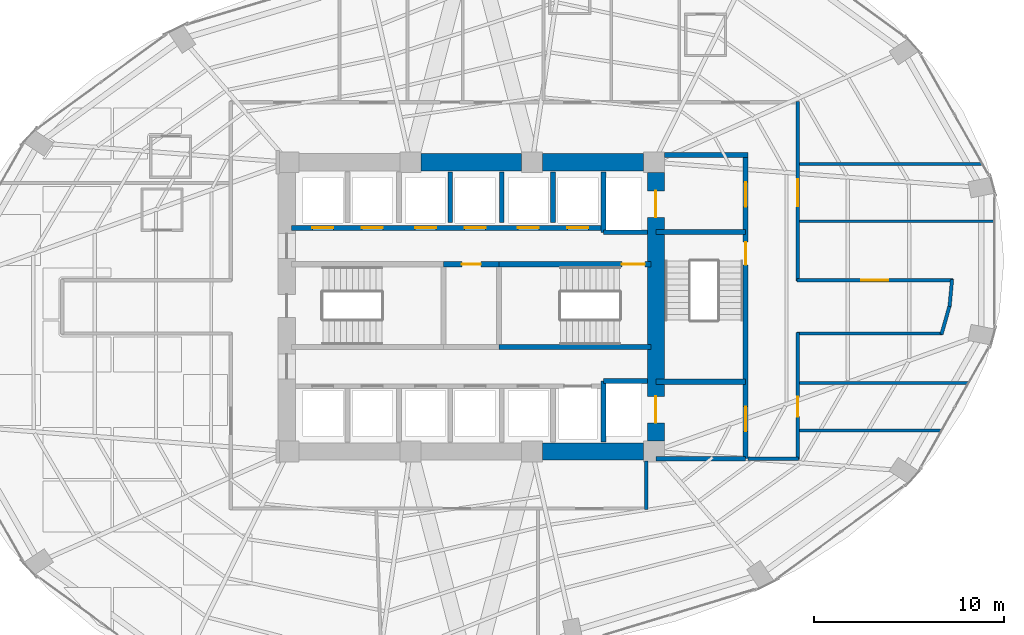
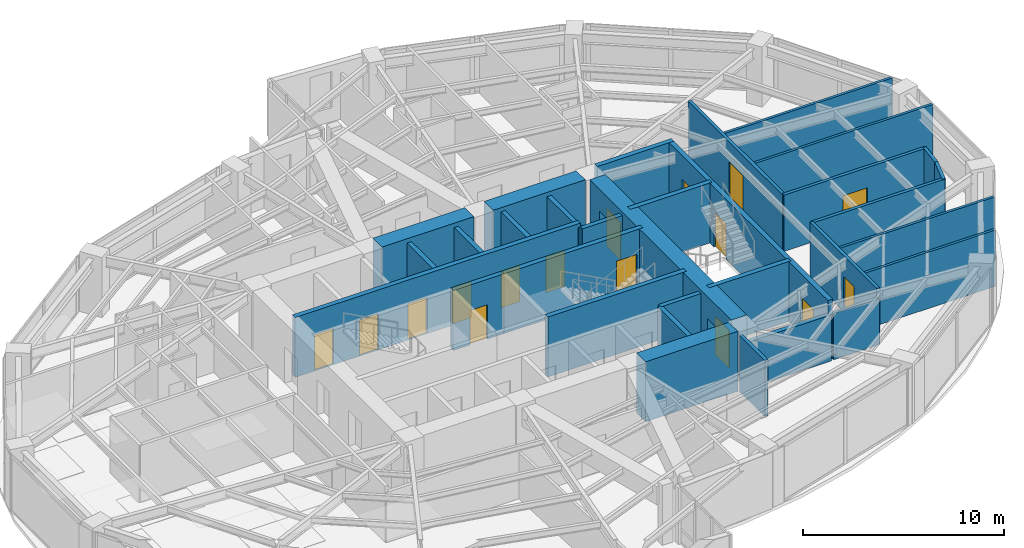
# One storey, part 22 of 25: 32 walls, 16 doors, 16 openings.
"""IFC4 building model written with IfcOpenShell, lengths in metres."""

from ifc_helpers import new_model, si_unit, direction, frame, frame_2d, origin, place, context, subcontext, project, spatial, rectangle, extrude, material, layer, layer_set, type_object, element, fill, save


model = new_model("IFC4")

# Units and contexts
model_context = context("Model", 3, precision=1e-05, world=origin(), true_north=direction((0.0, 1.0)))
body_context = subcontext(model_context, "Body", "Model", "MODEL_VIEW")
ifc_project = project(units=[si_unit("LENGTHUNIT", "METRE"), si_unit("AREAUNIT", "SQUARE_METRE"), si_unit("VOLUMEUNIT", "CUBIC_METRE"), si_unit("PLANEANGLEUNIT", "RADIAN"), si_unit("MASSUNIT", "GRAM", prefix="KILO")], contexts=[model_context])

# Site, building, storey
site_placement = place(None, origin())
site = spatial("IfcSite", under=ifc_project, at=site_placement, CompositionType="ELEMENT")
building_placement = place(site_placement, origin())
building = spatial("IfcBuilding", under=site, at=building_placement, Name="Lazwardi Medical Tower", CompositionType="ELEMENT")
storey_placement = place(building_placement, frame((0.0, 0.0, 50.736083984375)))
storey = spatial("IfcBuildingStorey", under=building, at=storey_placement, Name="L12", CompositionType="ELEMENT", Elevation=50.736083984375)

# Wall, opening, door
ifc_material_1 = material(Name="Fire-rated gypsum board on steel stud", Category="steel")
ifc_layer_1 = layer(ifc_material_1, 0.179931640625)
ifc_layer_set_1 = layer_set([ifc_layer_1], Name="Fire-rated gypsum board on steel stud")
wall_type_1 = type_object("IfcWallType", Name="WL-COR-180", PredefinedType="PARTITIONING", material=ifc_layer_set_1)
wall_1_placement = place(storey_placement, frame((53.14990234375, 38.7900390625, 0.0), z_axis=(0.0, 0.0, 1.0), x_axis=(0.0, -1.0, 0.0)))
wall_1 = element("IfcWall", 1, at=wall_1_placement, inside=storey, type_object=wall_type_1, Name="L12 Corridor partition 5", PredefinedType="PARTITIONING", context=body_context, shape_type="SweptSolid", body=[
    extrude(rectangle(XDim=9.429931640625, YDim=0.179931640625, at=frame_2d((4.71484375, 0.0))), origin(), (0.0, 0.0, 1.0), 3.427978515625),
])
opening_1_placement = place(wall_1_placement, frame((4.090087890625, 0.0, 0.0)))
opening_1 = element("IfcOpeningElement", 2, at=opening_1_placement, cuts=wall_1, Name="Opening D-L12-015", PredefinedType="OPENING", context=body_context, shape_type="SweptSolid", body=[
    extrude(rectangle(XDim=1.39990234375, YDim=2.199951171875, at=frame_2d((0.699951171875, 1.10009765625))), frame((0.0, 0.099853515625, 0.0), z_axis=(0.0, -1.0, 0.0), x_axis=(1.0, 0.0, 0.0)), (0.0, 0.0, 1.0), 0.199951171875),
])
ifc_material_2 = material(Name="Anti-microbial laminate hospital leaf")
door_type_1 = type_object("IfcDoorType", Name="DR-BED-1400", OperationType="NOTDEFINED", PredefinedType="DOOR", material=ifc_material_2)
door_1_placement = place(opening_1_placement, origin())
door_1 = element("IfcDoor", 3, at=door_1_placement, inside=storey, type_object=door_type_1, Name="L12 Inpatient Ward Door 06", OperationType="SINGLE_SWING_RIGHT", OverallHeight=2.199951171875, OverallWidth=1.39990234375, PredefinedType="DOOR", context=body_context, shape_type="SweptSolid", body=[
    extrude(rectangle(XDim=1.39990234375, YDim=2.199951171875, at=frame_2d((0.699951171875, 1.10009765625))), frame((0.0, 0.02490234375, 0.0), z_axis=(0.0, -1.0, 0.0), x_axis=(1.0, 0.0, 0.0)), (0.0, 0.0, 1.0), 0.050048828125),
])
fill(opening_1, door_1)

wall_2_placement = place(storey_placement, frame((53.110107421875, 29.39990234375, 0.0), z_axis=(0.0, 0.0, 1.0), x_axis=(1.0, 0.0, 0.0)))
wall_2 = element("IfcWall", 4, at=wall_2_placement, inside=storey, type_object=wall_type_1, Name="L12 Corridor partition 6", PredefinedType="PARTITIONING", context=body_context, shape_type="SweptSolid", body=[
    extrude(rectangle(XDim=8.19677734375, YDim=0.179931640625, at=frame_2d((4.098388671875, 0.0))), origin(), (0.0, 0.0, 1.0), 3.427978515625),
])
opening_2_placement = place(wall_2_placement, frame((3.3984375, 0.0, 0.0)))
opening_2 = element("IfcOpeningElement", 5, at=opening_2_placement, cuts=wall_2, Name="Opening D-L12-014", PredefinedType="OPENING", context=body_context, shape_type="SweptSolid", body=[
    extrude(rectangle(XDim=1.39990234375, YDim=2.199951171875, at=frame_2d((0.699951171875, 1.10009765625))), frame((0.0, 0.099853515625, 0.0), z_axis=(0.0, -1.0, 0.0), x_axis=(1.0, 0.0, 0.0)), (0.0, 0.0, 1.0), 0.199951171875),
])
door_2_placement = place(opening_2_placement, origin())
door_2 = element("IfcDoor", 6, at=door_2_placement, inside=storey, type_object=door_type_1, Name="L12 Inpatient Ward Door 05", OperationType="SINGLE_SWING_LEFT", OverallHeight=2.199951171875, OverallWidth=1.39990234375, PredefinedType="DOOR", context=body_context, shape_type="SweptSolid", body=[
    extrude(rectangle(XDim=1.39990234375, YDim=2.199951171875, at=frame_2d((0.699951171875, 1.10009765625))), frame((0.0, 0.02490234375, 0.0), z_axis=(0.0, -1.0, 0.0), x_axis=(1.0, 0.0, 0.0)), (0.0, 0.0, 1.0), 0.050048828125),
])
fill(opening_2, door_2)

# Walls
wall_3_placement = place(storey_placement, frame((61.2705078125, 29.439697265625, 0.0), z_axis=(0.0, 0.0, 1.0), x_axis=(-0.092539930621, -0.995708974169, 0.0)))
element("IfcWall", 7, at=wall_3_placement, inside=storey, type_object=wall_type_1, Name="L12 Corridor partition 7", PredefinedType="PARTITIONING", context=body_context, shape_type="SweptSolid", body=[
    extrude(rectangle(XDim=1.416748046875, YDim=0.179931640625, at=frame_2d((0.70849609375, 0.0))), origin(), (0.0, 0.0, 1.0), 3.427978515625),
])
wall_4_placement = place(storey_placement, frame((61.15380859375, 28.107421875, 0.0), z_axis=(0.0, 0.0, 1.0), x_axis=(-0.271748942561, -0.962368179138, 0.0)))
element("IfcWall", 8, at=wall_4_placement, inside=storey, type_object=wall_type_1, Name="L12 Corridor partition 8", PredefinedType="PARTITIONING", context=body_context, shape_type="SweptSolid", body=[
    extrude(rectangle(XDim=1.6064453125, YDim=0.179931640625, at=frame_2d((0.80322265625, 0.0))), origin(), (0.0, 0.0, 1.0), 3.427978515625),
])
wall_5_placement = place(storey_placement, frame((60.768310546875, 26.60009765625, 0.0), z_axis=(0.0, 0.0, 1.0), x_axis=(-1.0, 0.0, 0.0)))
element("IfcWall", 9, at=wall_5_placement, inside=storey, type_object=wall_type_1, Name="L12 Corridor partition 9", PredefinedType="PARTITIONING", context=body_context, shape_type="SweptSolid", body=[
    extrude(rectangle(XDim=7.658203125, YDim=0.179931640625, at=frame_2d((3.8291015625, 0.0))), origin(), (0.0, 0.0, 1.0), 3.427978515625),
])

# Wall, opening, door
wall_6_placement = place(storey_placement, frame((53.14990234375, 26.639892578125, 0.0), z_axis=(0.0, 0.0, 1.0), x_axis=(0.0, -1.0, 0.0)))
wall_6 = element("IfcWall", 10, at=wall_6_placement, inside=storey, type_object=wall_type_1, Name="L12 Corridor partition 10", PredefinedType="PARTITIONING", context=body_context, shape_type="SweptSolid", body=[
    extrude(rectangle(XDim=6.659912109375, YDim=0.179931640625, at=frame_2d((3.330078125, 0.0))), origin(), (0.0, 0.0, 1.0), 3.427978515625),
])
opening_3_placement = place(wall_6_placement, frame((3.364990234375, 0.0, 0.0)))
opening_3 = element("IfcOpeningElement", 11, at=opening_3_placement, cuts=wall_6, Name="Opening D-L12-013", PredefinedType="OPENING", context=body_context, shape_type="SweptSolid", body=[
    extrude(rectangle(XDim=1.050048828125, YDim=2.14990234375, at=frame_2d((0.52490234375, 1.074951171875))), frame((0.0, 0.099853515625, 0.0), z_axis=(0.0, -1.0, 0.0), x_axis=(1.0, 0.0, 0.0)), (0.0, 0.0, 1.0), 0.199951171875),
])
door_type_2 = type_object("IfcDoorType", Name="DR-CLN-1050", OperationType="NOTDEFINED", PredefinedType="DOOR", material=ifc_material_2)
door_3_placement = place(opening_3_placement, origin())
door_3 = element("IfcDoor", 12, at=door_3_placement, inside=storey, type_object=door_type_2, Name="L12 Outpatient Clinic Door 04", OperationType="SINGLE_SWING_RIGHT", OverallHeight=2.14990234375, OverallWidth=1.050048828125, PredefinedType="DOOR", context=body_context, shape_type="SweptSolid", body=[
    extrude(rectangle(XDim=1.050048828125, YDim=2.14990234375, at=frame_2d((0.52490234375, 1.074951171875))), frame((0.0, 0.02490234375, 0.0), z_axis=(0.0, -1.0, 0.0), x_axis=(1.0, 0.0, 0.0)), (0.0, 0.0, 1.0), 0.050048828125),
])
fill(opening_3, door_3)

# Walls
wall_7_placement = place(storey_placement, frame((53.18994140625, 20.02001953125, 0.0), z_axis=(0.0, 0.0, 1.0), x_axis=(-1.0, 0.0, 0.0)))
element("IfcWall", 13, at=wall_7_placement, inside=storey, type_object=wall_type_1, Name="L12 Corridor partition 11", PredefinedType="PARTITIONING", context=body_context, shape_type="SweptSolid", body=[
    extrude(rectangle(XDim=2.64990234375, YDim=0.179931640625, at=frame_2d((1.324951171875, 0.0))), origin(), (0.0, 0.0, 1.0), 2.81298828125),
])
wall_8_placement = place(storey_placement, frame((45.199951171875, 19.909912109375, 0.0), z_axis=(0.0, 0.0, 1.0), x_axis=(0.0, -1.0, 0.0)))
element("IfcWall", 14, at=wall_8_placement, inside=storey, type_object=wall_type_1, Name="L12 Corridor partition 14", PredefinedType="PARTITIONING", context=body_context, shape_type="SweptSolid", body=[
    extrude(rectangle(XDim=2.5498046875, YDim=0.179931640625, at=frame_2d((1.27490234375, 0.0))), origin(), (0.0, 0.0, 1.0), 3.427978515625),
])

# Wall, openings, doors
ifc_material_3 = material(Name="Concrete C80/95", Category="concrete")
ifc_layer_2 = layer(ifc_material_3, 0.89990234375)
ifc_layer_set_2 = layer_set([ifc_layer_2], Name="Concrete C80/95")
wall_type_2 = type_object("IfcWallType", Name="WL-CORE-900", PredefinedType="SHEAR", material=ifc_layer_set_2)
wall_9_placement = place(storey_placement, frame((45.699951171875, 20.949951171875, 0.0), z_axis=(0.0, 0.0, 1.0), x_axis=(0.0, 1.0, 0.0)))
wall_9 = element("IfcWall", 15, at=wall_9_placement, inside=storey, type_object=wall_type_2, Name="Core wall CW-S1 east L12", PredefinedType="SHEAR", context=body_context, shape_type="SweptSolid", body=[
    extrude(rectangle(XDim=14.10009765625, YDim=0.89990234375, at=frame_2d((7.050048828125, 0.0))), origin(), (0.0, 0.0, 1.0), 3.64794921875),
])
opening_4_placement = place(wall_9_placement, frame((11.75, 0.0, 0.0)))
opening_4 = element("IfcOpeningElement", 16, at=opening_4_placement, cuts=wall_9, Name="Opening LD-L12-001", PredefinedType="OPENING", context=body_context, shape_type="SweptSolid", body=[
    extrude(rectangle(XDim=1.39990234375, YDim=2.300048828125, at=frame_2d((0.699951171875, 1.14990234375))), frame((0.0, 0.4599609375, 0.0), z_axis=(0.0, -1.0, 0.0), x_axis=(1.0, 0.0, 0.0)), (0.0, 0.0, 1.0), 0.919921875),
])
opening_5_placement = place(wall_9_placement, frame((0.949951171875, 0.0, 0.0)))
opening_5 = element("IfcOpeningElement", 17, at=opening_5_placement, cuts=wall_9, Name="Opening LD-L12-002", PredefinedType="OPENING", context=body_context, shape_type="SweptSolid", body=[
    extrude(rectangle(XDim=1.39990234375, YDim=2.300048828125, at=frame_2d((0.699951171875, 1.14990234375))), frame((0.0, 0.4599609375, 0.0), z_axis=(0.0, -1.0, 0.0), x_axis=(1.0, 0.0, 0.0)), (0.0, 0.0, 1.0), 0.919921875),
])
ifc_material_4 = material(Name="Brushed stainless steel bed-lift landing door", Category="steel")
door_type_3 = type_object("IfcDoorType", Name="DR-LFT-1400", OperationType="NOTDEFINED", PredefinedType="DOOR", material=ifc_material_4)
door_4_placement = place(opening_4_placement, origin())
door_4 = element("IfcDoor", 18, at=door_4_placement, inside=storey, type_object=door_type_3, Name="L12 Lift Landing Door FL-01", OperationType="SLIDING_TO_LEFT", OverallHeight=2.300048828125, OverallWidth=1.39990234375, PredefinedType="DOOR", context=body_context, shape_type="SweptSolid", body=[
    extrude(rectangle(XDim=1.39990234375, YDim=2.300048828125, at=frame_2d((0.699951171875, 1.14990234375))), frame((0.0, 0.02490234375, 0.0), z_axis=(0.0, -1.0, 0.0), x_axis=(1.0, 0.0, 0.0)), (0.0, 0.0, 1.0), 0.050048828125),
])
fill(opening_4, door_4)
door_5_placement = place(opening_5_placement, origin())
door_5 = element("IfcDoor", 19, at=door_5_placement, inside=storey, type_object=door_type_3, Name="L12 Lift Landing Door FL-02", OperationType="SLIDING_TO_LEFT", OverallHeight=2.300048828125, OverallWidth=1.39990234375, PredefinedType="DOOR", context=body_context, shape_type="SweptSolid", body=[
    extrude(rectangle(XDim=1.39990234375, YDim=2.300048828125, at=frame_2d((0.699951171875, 1.14990234375))), frame((0.0, 0.02490234375, 0.0), z_axis=(0.0, -1.0, 0.0), x_axis=(1.0, 0.0, 0.0)), (0.0, 0.0, 1.0), 0.050048828125),
])
fill(opening_5, door_5)

# Walls
wall_10_placement = place(storey_placement, frame((33.35009765625, 35.60009765625, 0.0), z_axis=(0.0, 0.0, 1.0), x_axis=(1.0, 0.0, 0.0)))
element("IfcWall", 20, at=wall_10_placement, inside=storey, type_object=wall_type_2, Name="Core wall CW-S1 N2 L12", PredefinedType="SHEAR", context=body_context, shape_type="SweptSolid", body=[
    extrude(rectangle(XDim=5.2998046875, YDim=0.89990234375, at=frame_2d((2.64990234375, 0.0))), origin(), (0.0, 0.0, 1.0), 3.64794921875),
])
for number, where, z_axis, x_axis, name in (
    (21, (39.75, 20.39990234375, 0.0), (0.0, 0.0, 1.0), (1.0, 0.0, 0.0), "Core wall CW-S1 S3 L12"),
    (22, (39.75, 35.60009765625, 0.0), (0.0, 0.0, 1.0), (1.0, 0.0, 0.0), "Core wall CW-S1 N3 L12"),
):
    element("IfcWall", number, at=place(storey_placement, frame(where, z_axis=z_axis, x_axis=x_axis)), inside=storey, type_object=wall_type_2, Name=name, PredefinedType="SHEAR", context=body_context, shape_type="SweptSolid", body=[
        extrude(rectangle(XDim=5.300048828125, YDim=0.89990234375, at=frame_2d((2.64990234375, 0.0))), origin(), (0.0, 0.0, 1.0), 3.64794921875),
    ])
ifc_material_5 = material(Name="Autoclaved aerated concrete blockwork", Category="masonry")
ifc_layer_3 = layer(ifc_material_5, 0.25)
ifc_layer_set_3 = layer_set([ifc_layer_3], Name="Autoclaved aerated concrete blockwork")
wall_type_3 = type_object("IfcWallType", Name="WL-SHAFT-250", PredefinedType="SOLIDWALL", material=ifc_layer_set_3)
wall_11_placement = place(storey_placement, frame((42.949951171875, 31.919921875, 0.0), z_axis=(0.0, 0.0, 1.0), x_axis=(0.0, 1.0, 0.0)))
element("IfcWall", 23, at=wall_11_placement, inside=storey, type_object=wall_type_3, Name="L12 FL-01 West shaft wall", PredefinedType="SOLIDWALL", context=body_context, shape_type="SweptSolid", body=[
    extrude(rectangle(XDim=3.18017578125, YDim=0.25, at=frame_2d((1.590087890625, 0.0))), origin(), (0.0, 0.0, 1.0), 3.427978515625),
])
wall_12_placement = place(storey_placement, frame((42.949951171875, 31.919921875, 0.0), z_axis=(0.0, 0.0, 1.0), x_axis=(1.0, 0.0, 0.0)))
element("IfcWall", 24, at=wall_12_placement, inside=storey, type_object=wall_type_3, Name="L12 FL-01 South shaft wall", PredefinedType="SOLIDWALL", context=body_context, shape_type="SweptSolid", body=[
    extrude(rectangle(XDim=2.300048828125, YDim=0.25, at=frame_2d((1.14990234375, 0.0))), origin(), (0.0, 0.0, 1.0), 3.427978515625),
])
wall_13_placement = place(storey_placement, frame((42.949951171875, 20.89990234375, 0.0), z_axis=(0.0, 0.0, 1.0), x_axis=(0.0, 1.0, 0.0)))
element("IfcWall", 25, at=wall_13_placement, inside=storey, type_object=wall_type_3, Name="L12 FL-02 West shaft wall", PredefinedType="SOLIDWALL", context=body_context, shape_type="SweptSolid", body=[
    extrude(rectangle(XDim=3.2001953125, YDim=0.25, at=frame_2d((1.60009765625, 0.0))), origin(), (0.0, 0.0, 1.0), 3.427978515625),
])
wall_14_placement = place(storey_placement, frame((42.949951171875, 24.10009765625, 0.0), z_axis=(0.0, 0.0, 1.0), x_axis=(1.0, 0.0, 0.0)))
element("IfcWall", 26, at=wall_14_placement, inside=storey, type_object=wall_type_3, Name="L12 FL-02 North shaft wall", PredefinedType="SOLIDWALL", context=body_context, shape_type="SweptSolid", body=[
    extrude(rectangle(XDim=2.300048828125, YDim=0.25, at=frame_2d((1.14990234375, 0.0))), origin(), (0.0, 0.0, 1.0), 3.427978515625),
])
for number, where, z_axis, x_axis, name in (
    (27, (34.89990234375, 32.419921875, 0.0), (0.0, 0.0, 1.0), (0.0, 1.0, 0.0), "L12 North hoistway divider"),
    (28, (37.60009765625, 32.419921875, 0.0), (0.0, 0.0, 1.0), (0.0, 1.0, 0.0), "L12 North hoistway divider"),
    (29, (40.300048828125, 32.419921875, 0.0), (0.0, 0.0, 1.0), (0.0, 1.0, 0.0), "L12 North hoistway divider"),
):
    element("IfcWall", number, at=place(storey_placement, frame(where, z_axis=z_axis, x_axis=x_axis)), inside=storey, type_object=wall_type_3, Name=name, PredefinedType="SOLIDWALL", context=body_context, shape_type="SweptSolid", body=[
        extrude(rectangle(XDim=2.68017578125, YDim=0.25, at=frame_2d((1.340087890625, 0.0))), origin(), (0.0, 0.0, 1.0), 3.427978515625),
    ])
wall_15_placement = place(storey_placement, frame((45.699951171875, 20.02001953125, 0.0), z_axis=(0.0, 0.0, 1.0), x_axis=(1.0, 0.0, 0.0)))
element("IfcWall", 30, at=wall_15_placement, inside=storey, type_object=wall_type_3, Name="L12 FFL-S South wall", PredefinedType="SOLIDWALL", context=body_context, shape_type="SweptSolid", body=[
    extrude(rectangle(XDim=4.715087890625, YDim=0.25, at=frame_2d((2.357421875, 0.0))), origin(), (0.0, 0.0, 1.0), 2.81298828125),
])

# Wall, opening, door
ifc_material_6 = material(Name="Concrete C50/60", Category="concrete")
ifc_layer_4 = layer(ifc_material_6, 0.27001953125)
ifc_layer_set_4 = layer_set([ifc_layer_4], Name="Concrete C50/60")
wall_type_4 = type_object("IfcWallType", Name="WL-STR-250", PredefinedType="SHEAR", material=ifc_layer_set_4)
wall_16_placement = place(storey_placement, frame((34.534912109375, 30.235107421875, 0.0), z_axis=(0.0, 0.0, 1.0), x_axis=(1.0, 0.0, 0.0)))
wall_16 = element("IfcWall", 31, at=wall_16_placement, inside=storey, type_object=wall_type_4, Name="L12 Core service North shear wall SW-S1", PredefinedType="SHEAR", context=body_context, shape_type="SweptSolid", body=[
    extrude(rectangle(XDim=2.93017578125, YDim=0.27001953125, at=frame_2d((1.465087890625, 0.0))), origin(), (0.0, 0.0, 1.0), 3.64794921875),
])
opening_6_placement = place(wall_16_placement, frame((0.965087890625, 0.0, 0.0)))
opening_6 = element("IfcOpeningElement", 32, at=opening_6_placement, cuts=wall_16, Name="Opening D-L12-001", PredefinedType="OPENING", context=body_context, shape_type="SweptSolid", body=[
    extrude(rectangle(XDim=1.0, YDim=2.10009765625, at=frame_2d((0.5, 1.050048828125))), frame((0.0, 0.14501953125, 0.0), z_axis=(0.0, -1.0, 0.0), x_axis=(1.0, 0.0, 0.0)), (0.0, 0.0, 1.0), 0.2900390625),
])
ifc_material_7 = material(Name="Moisture-resistant laminate door leaf")
door_type_4 = type_object("IfcDoorType", Name="DR-AWC-1000", OperationType="NOTDEFINED", PredefinedType="DOOR", material=ifc_material_7)
door_6_placement = place(opening_6_placement, origin())
door_6 = element("IfcDoor", 33, at=door_6_placement, inside=storey, type_object=door_type_4, Name="L12 Accessible WC Door", OperationType="SINGLE_SWING_RIGHT", OverallHeight=2.10009765625, OverallWidth=1.0, PredefinedType="DOOR", context=body_context, shape_type="SweptSolid", body=[
    extrude(rectangle(XDim=1.0, YDim=2.10009765625, at=frame_2d((0.5, 1.050048828125))), frame((0.0, 0.02490234375, 0.0), z_axis=(0.0, -1.0, 0.0), x_axis=(1.0, 0.0, 0.0)), (0.0, 0.0, 1.0), 0.050048828125),
])
fill(opening_6, door_6)

wall_17_placement = place(storey_placement, frame((37.465087890625, 30.235107421875, 0.0), z_axis=(0.0, 0.0, 1.0), x_axis=(1.0, 0.0, 0.0)))
wall_17 = element("IfcWall", 34, at=wall_17_placement, inside=storey, type_object=wall_type_4, Name="L12 ST2 North shear shaft wall SW-S1", PredefinedType="SHEAR", context=body_context, shape_type="SweptSolid", body=[
    extrude(rectangle(XDim=7.98486328125, YDim=0.27001953125, at=frame_2d((3.992431640625, 0.0))), origin(), (0.0, 0.0, 1.0), 3.64794921875),
])
opening_7_placement = place(wall_17_placement, frame((6.455078125, 0.0, 0.0)))
opening_7 = element("IfcOpeningElement", 35, at=opening_7_placement, cuts=wall_17, Name="Opening D-L12-024", PredefinedType="OPENING", context=body_context, shape_type="SweptSolid", body=[
    extrude(rectangle(XDim=1.199951171875, YDim=2.14990234375, at=frame_2d((0.60009765625, 1.074951171875))), frame((0.0, 0.14501953125, 0.0), z_axis=(0.0, -1.0, 0.0), x_axis=(1.0, 0.0, 0.0)), (0.0, 0.0, 1.0), 0.2900390625),
])
ifc_material_8 = material(Name="Fire-rated steel leaf and frame", Category="steel")
door_type_5 = type_object("IfcDoorType", Name="DR-STR-1200", OperationType="NOTDEFINED", PredefinedType="DOOR", material=ifc_material_8)
door_7_placement = place(opening_7_placement, origin())
door_7 = element("IfcDoor", 36, at=door_7_placement, inside=storey, type_object=door_type_5, Name="L12 Exit Stair ST2 Door", OperationType="SINGLE_SWING_LEFT", OverallHeight=2.14990234375, OverallWidth=1.199951171875, PredefinedType="DOOR", context=body_context, shape_type="SweptSolid", body=[
    extrude(rectangle(XDim=1.199951171875, YDim=2.14990234375, at=frame_2d((0.60009765625, 1.074951171875))), frame((0.0, 0.02490234375, 0.0), z_axis=(0.0, -1.0, 0.0), x_axis=(1.0, 0.0, 0.0)), (0.0, 0.0, 1.0), 0.050048828125),
])
fill(opening_7, door_7)

# Wall
wall_18_placement = place(storey_placement, frame((37.465087890625, 25.885009765625, 0.0), z_axis=(0.0, 0.0, 1.0), x_axis=(1.0, 0.0, 0.0)))
element("IfcWall", 37, at=wall_18_placement, inside=storey, type_object=wall_type_4, Name="L12 ST2 South shear shaft wall SW-S1", PredefinedType="SHEAR", context=body_context, shape_type="SweptSolid", body=[
    extrude(rectangle(XDim=7.98486328125, YDim=0.27001953125, at=frame_2d((3.992431640625, 0.0))), origin(), (0.0, 0.0, 1.0), 3.64794921875),
])

# Wall, openings, doors
wall_19_placement = place(storey_placement, frame((26.550048828125, 32.14990234375, 0.0), z_axis=(0.0, 0.0, 1.0), x_axis=(1.0, 0.0, 0.0)))
wall_19 = element("IfcWall", 38, at=wall_19_placement, inside=storey, type_object=wall_type_4, Name="L12 North lift bank shear wall SW-S1", PredefinedType="SHEAR", context=body_context, shape_type="SweptSolid", body=[
    extrude(rectangle(XDim=16.39990234375, YDim=0.27001953125, at=frame_2d((8.199951171875, 0.0))), origin(), (0.0, 0.0, 1.0), 3.64794921875),
])
opening_8_placement = place(wall_19_placement, frame((1.10009765625, 0.0, 0.0)))
opening_8 = element("IfcOpeningElement", 39, at=opening_8_placement, cuts=wall_19, Name="Opening LD-L12-004", PredefinedType="OPENING", context=body_context, shape_type="SweptSolid", body=[
    extrude(rectangle(XDim=1.10009765625, YDim=2.199951171875, at=frame_2d((0.550048828125, 1.10009765625))), frame((0.0, 0.14501953125, 0.0), z_axis=(0.0, -1.0, 0.0), x_axis=(1.0, 0.0, 0.0)), (0.0, 0.0, 1.0), 0.2900390625),
])
opening_9_placement = place(wall_19_placement, frame((3.699951171875, 0.0, 0.0)))
opening_9 = element("IfcOpeningElement", 40, at=opening_9_placement, cuts=wall_19, Name="Opening LD-L12-005", PredefinedType="OPENING", context=body_context, shape_type="SweptSolid", body=[
    extrude(rectangle(XDim=1.10009765625, YDim=2.199951171875, at=frame_2d((0.550048828125, 1.10009765625))), frame((0.0, 0.14501953125, 0.0), z_axis=(0.0, -1.0, 0.0), x_axis=(1.0, 0.0, 0.0)), (0.0, 0.0, 1.0), 0.2900390625),
])
opening_10_placement = place(wall_19_placement, frame((6.5, 0.0, 0.0)))
opening_10 = element("IfcOpeningElement", 41, at=opening_10_placement, cuts=wall_19, Name="Opening LD-L12-008", PredefinedType="OPENING", context=body_context, shape_type="SweptSolid", body=[
    extrude(rectangle(XDim=1.10009765625, YDim=2.199951171875, at=frame_2d((0.550048828125, 1.10009765625))), frame((0.0, 0.14501953125, 0.0), z_axis=(0.0, -1.0, 0.0), x_axis=(1.0, 0.0, 0.0)), (0.0, 0.0, 1.0), 0.2900390625),
])
opening_11_placement = place(wall_19_placement, frame((9.10009765625, 0.0, 0.0)))
opening_11 = element("IfcOpeningElement", 42, at=opening_11_placement, cuts=wall_19, Name="Opening LD-L12-009", PredefinedType="OPENING", context=body_context, shape_type="SweptSolid", body=[
    extrude(rectangle(XDim=1.10009765625, YDim=2.199951171875, at=frame_2d((0.550048828125, 1.10009765625))), frame((0.0, 0.14501953125, 0.0), z_axis=(0.0, -1.0, 0.0), x_axis=(1.0, 0.0, 0.0)), (0.0, 0.0, 1.0), 0.2900390625),
])
opening_12_placement = place(wall_19_placement, frame((11.89990234375, 0.0, 0.0)))
opening_12 = element("IfcOpeningElement", 43, at=opening_12_placement, cuts=wall_19, Name="Opening LD-L12-012", PredefinedType="OPENING", context=body_context, shape_type="SweptSolid", body=[
    extrude(rectangle(XDim=1.10009765625, YDim=2.199951171875, at=frame_2d((0.550048828125, 1.10009765625))), frame((0.0, 0.14501953125, 0.0), z_axis=(0.0, -1.0, 0.0), x_axis=(1.0, 0.0, 0.0)), (0.0, 0.0, 1.0), 0.2900390625),
])
opening_13_placement = place(wall_19_placement, frame((14.5, 0.0, 0.0)))
opening_13 = element("IfcOpeningElement", 44, at=opening_13_placement, cuts=wall_19, Name="Opening LD-L12-013", PredefinedType="OPENING", context=body_context, shape_type="SweptSolid", body=[
    extrude(rectangle(XDim=1.10009765625, YDim=2.199951171875, at=frame_2d((0.550048828125, 1.10009765625))), frame((0.0, 0.14501953125, 0.0), z_axis=(0.0, -1.0, 0.0), x_axis=(1.0, 0.0, 0.0)), (0.0, 0.0, 1.0), 0.2900390625),
])
ifc_material_9 = material(Name="Brushed bronze stainless steel landing door", Category="steel")
door_type_6 = type_object("IfcDoorType", Name="DR-LFT-1100", OperationType="NOTDEFINED", PredefinedType="DOOR", material=ifc_material_9)
door_8_placement = place(opening_8_placement, origin())
door_8 = element("IfcDoor", 45, at=door_8_placement, inside=storey, type_object=door_type_6, Name="L12 Lift Landing Door PL-01", OperationType="SLIDING_TO_LEFT", OverallHeight=2.199951171875, OverallWidth=1.10009765625, PredefinedType="DOOR", context=body_context, shape_type="SweptSolid", body=[
    extrude(rectangle(XDim=1.10009765625, YDim=2.199951171875, at=frame_2d((0.550048828125, 1.10009765625))), frame((0.0, 0.02490234375, 0.0), z_axis=(0.0, -1.0, 0.0), x_axis=(1.0, 0.0, 0.0)), (0.0, 0.0, 1.0), 0.050048828125),
])
fill(opening_8, door_8)
door_9_placement = place(opening_9_placement, origin())
door_9 = element("IfcDoor", 46, at=door_9_placement, inside=storey, type_object=door_type_6, Name="L12 Lift Landing Door PL-02", OperationType="SLIDING_TO_LEFT", OverallHeight=2.199951171875, OverallWidth=1.10009765625, PredefinedType="DOOR", context=body_context, shape_type="SweptSolid", body=[
    extrude(rectangle(XDim=1.10009765625, YDim=2.199951171875, at=frame_2d((0.550048828125, 1.10009765625))), frame((0.0, 0.02490234375, 0.0), z_axis=(0.0, -1.0, 0.0), x_axis=(1.0, 0.0, 0.0)), (0.0, 0.0, 1.0), 0.050048828125),
])
fill(opening_9, door_9)
door_10_placement = place(opening_10_placement, origin())
door_10 = element("IfcDoor", 47, at=door_10_placement, inside=storey, type_object=door_type_6, Name="L12 Lift Landing Door PL-05", OperationType="SLIDING_TO_LEFT", OverallHeight=2.199951171875, OverallWidth=1.10009765625, PredefinedType="DOOR", context=body_context, shape_type="SweptSolid", body=[
    extrude(rectangle(XDim=1.10009765625, YDim=2.199951171875, at=frame_2d((0.550048828125, 1.10009765625))), frame((0.0, 0.02490234375, 0.0), z_axis=(0.0, -1.0, 0.0), x_axis=(1.0, 0.0, 0.0)), (0.0, 0.0, 1.0), 0.050048828125),
])
fill(opening_10, door_10)
door_11_placement = place(opening_11_placement, origin())
door_11 = element("IfcDoor", 48, at=door_11_placement, inside=storey, type_object=door_type_6, Name="L12 Lift Landing Door PL-06", OperationType="SLIDING_TO_LEFT", OverallHeight=2.199951171875, OverallWidth=1.10009765625, PredefinedType="DOOR", context=body_context, shape_type="SweptSolid", body=[
    extrude(rectangle(XDim=1.10009765625, YDim=2.199951171875, at=frame_2d((0.550048828125, 1.10009765625))), frame((0.0, 0.02490234375, 0.0), z_axis=(0.0, -1.0, 0.0), x_axis=(1.0, 0.0, 0.0)), (0.0, 0.0, 1.0), 0.050048828125),
])
fill(opening_11, door_11)
door_12_placement = place(opening_12_placement, origin())
door_12 = element("IfcDoor", 49, at=door_12_placement, inside=storey, type_object=door_type_6, Name="L12 Lift Landing Door PL-09", OperationType="SLIDING_TO_LEFT", OverallHeight=2.199951171875, OverallWidth=1.10009765625, PredefinedType="DOOR", context=body_context, shape_type="SweptSolid", body=[
    extrude(rectangle(XDim=1.10009765625, YDim=2.199951171875, at=frame_2d((0.550048828125, 1.10009765625))), frame((0.0, 0.02490234375, 0.0), z_axis=(0.0, -1.0, 0.0), x_axis=(1.0, 0.0, 0.0)), (0.0, 0.0, 1.0), 0.050048828125),
])
fill(opening_12, door_12)
door_13_placement = place(opening_13_placement, origin())
door_13 = element("IfcDoor", 50, at=door_13_placement, inside=storey, type_object=door_type_6, Name="L12 Lift Landing Door PL-10", OperationType="SLIDING_TO_LEFT", OverallHeight=2.199951171875, OverallWidth=1.10009765625, PredefinedType="DOOR", context=body_context, shape_type="SweptSolid", body=[
    extrude(rectangle(XDim=1.10009765625, YDim=2.199951171875, at=frame_2d((0.550048828125, 1.10009765625))), frame((0.0, 0.02490234375, 0.0), z_axis=(0.0, -1.0, 0.0), x_axis=(1.0, 0.0, 0.0)), (0.0, 0.0, 1.0), 0.050048828125),
])
fill(opening_13, door_13)

wall_20_placement = place(storey_placement, frame((50.4150390625, 35.844970703125, 0.0), z_axis=(0.0, 0.0, 1.0), x_axis=(0.0, -1.0, 0.0)))
wall_20 = element("IfcWall", 51, at=wall_20_placement, inside=storey, type_object=wall_type_4, Name="L12 East ST3 & FFL shear wall SW-S1", PredefinedType="SHEAR", context=body_context, shape_type="SweptSolid", body=[
    extrude(rectangle(XDim=15.824951171875, YDim=0.27001953125, at=frame_2d((7.91259765625, 0.0))), origin(), (0.0, 0.0, 1.0), 3.64794921875),
])
opening_14_placement = place(wall_20_placement, frame((4.445068359375, 0.0, 0.0)))
opening_14 = element("IfcOpeningElement", 52, at=opening_14_placement, cuts=wall_20, Name="Opening D-L12-025", PredefinedType="OPENING", context=body_context, shape_type="SweptSolid", body=[
    extrude(rectangle(XDim=1.199951171875, YDim=2.14990234375, at=frame_2d((0.60009765625, 1.074951171875))), frame((0.0, 0.14501953125, 0.0), z_axis=(0.0, -1.0, 0.0), x_axis=(1.0, 0.0, 0.0)), (0.0, 0.0, 1.0), 0.2900390625),
])
opening_15_placement = place(wall_20_placement, frame((1.294921875, 0.0, 0.0)))
opening_15 = element("IfcOpeningElement", 53, at=opening_15_placement, cuts=wall_20, Name="Opening D-L12-006", PredefinedType="OPENING", context=body_context, shape_type="SweptSolid", body=[
    extrude(rectangle(XDim=1.300048828125, YDim=2.199951171875, at=frame_2d((0.64990234375, 1.10009765625))), frame((0.0, 0.14501953125, 0.0), z_axis=(0.0, -1.0, 0.0), x_axis=(1.0, 0.0, 0.0)), (0.0, 0.0, 1.0), 0.2900390625),
])
opening_16_placement = place(wall_20_placement, frame((13.094970703125, 0.0, 0.0)))
opening_16 = element("IfcOpeningElement", 54, at=opening_16_placement, cuts=wall_20, Name="Opening D-L12-007", PredefinedType="OPENING", context=body_context, shape_type="SweptSolid", body=[
    extrude(rectangle(XDim=1.300048828125, YDim=2.199951171875, at=frame_2d((0.64990234375, 1.10009765625))), frame((0.0, 0.14501953125, 0.0), z_axis=(0.0, -1.0, 0.0), x_axis=(1.0, 0.0, 0.0)), (0.0, 0.0, 1.0), 0.2900390625),
])
door_type_7 = type_object("IfcDoorType", Name="DR-FFL-1300", OperationType="NOTDEFINED", PredefinedType="DOOR", material=ifc_material_8)
door_14_placement = place(opening_15_placement, origin())
door_14 = element("IfcDoor", 55, at=door_14_placement, inside=storey, type_object=door_type_7, Name="L12 Fire-Fighting Lobby North Door", OperationType="SINGLE_SWING_RIGHT", OverallHeight=2.199951171875, OverallWidth=1.300048828125, PredefinedType="DOOR", context=body_context, shape_type="SweptSolid", body=[
    extrude(rectangle(XDim=1.300048828125, YDim=2.199951171875, at=frame_2d((0.64990234375, 1.10009765625))), frame((0.0, 0.02490234375, 0.0), z_axis=(0.0, -1.0, 0.0), x_axis=(1.0, 0.0, 0.0)), (0.0, 0.0, 1.0), 0.050048828125),
])
fill(opening_15, door_14)
door_15_placement = place(opening_16_placement, origin())
door_15 = element("IfcDoor", 56, at=door_15_placement, inside=storey, type_object=door_type_7, Name="L12 Fire-Fighting Lobby South Door", OperationType="SINGLE_SWING_LEFT", OverallHeight=2.199951171875, OverallWidth=1.300048828125, PredefinedType="DOOR", context=body_context, shape_type="SweptSolid", body=[
    extrude(rectangle(XDim=1.300048828125, YDim=2.199951171875, at=frame_2d((0.64990234375, 1.10009765625))), frame((0.0, 0.02490234375, 0.0), z_axis=(0.0, -1.0, 0.0), x_axis=(1.0, 0.0, 0.0)), (0.0, 0.0, 1.0), 0.050048828125),
])
fill(opening_16, door_15)
door_16_placement = place(opening_14_placement, origin())
door_16 = element("IfcDoor", 57, at=door_16_placement, inside=storey, type_object=door_type_5, Name="L12 Exit Stair ST3 Door", OperationType="SINGLE_SWING_LEFT", OverallHeight=2.14990234375, OverallWidth=1.199951171875, PredefinedType="DOOR", context=body_context, shape_type="SweptSolid", body=[
    extrude(rectangle(XDim=1.199951171875, YDim=2.14990234375, at=frame_2d((0.60009765625, 1.074951171875))), frame((0.0, 0.02490234375, 0.0), z_axis=(0.0, -1.0, 0.0), x_axis=(1.0, 0.0, 0.0)), (0.0, 0.0, 1.0), 0.050048828125),
])
fill(opening_14, door_16)

# Walls
wall_21_placement = place(storey_placement, frame((46.14990234375, 35.97998046875, 0.0), z_axis=(0.0, 0.0, 1.0), x_axis=(1.0, 0.0, 0.0)))
element("IfcWall", 58, at=wall_21_placement, inside=storey, type_object=wall_type_4, Name="L12 FFL-N North shear wall SW-S1", PredefinedType="SHEAR", context=body_context, shape_type="SweptSolid", body=[
    extrude(rectangle(XDim=4.400146484375, YDim=0.27001953125, at=frame_2d((2.2001953125, 0.0))), origin(), (0.0, 0.0, 1.0), 3.64794921875),
])
for number, where, z_axis, x_axis, name in (
    (59, (45.699951171875, 31.93505859375, 0.0), (0.0, 0.0, 1.0), (1.0, 0.0, 0.0), "L12 ST3 North shear shaft wall SW-S1"),
    (60, (45.699951171875, 24.06494140625, 0.0), (0.0, 0.0, 1.0), (1.0, 0.0, 0.0), "L12 ST3 South shear shaft wall SW-S1"),
):
    element("IfcWall", number, at=place(storey_placement, frame(where, z_axis=z_axis, x_axis=x_axis)), inside=storey, type_object=wall_type_4, Name=name, PredefinedType="SHEAR", context=body_context, shape_type="SweptSolid", body=[
        extrude(rectangle(XDim=4.715087890625, YDim=0.27001953125, at=frame_2d((2.357421875, 0.0))), origin(), (0.0, 0.0, 1.0), 3.64794921875),
    ])
ifc_material_10 = material(Name="Acoustic gypsum board partition")
ifc_layer_5 = layer(ifc_material_10, 0.14990234375)
ifc_layer_set_5 = layer_set([ifc_layer_5], Name="Acoustic gypsum board partition")
wall_type_5 = type_object("IfcWallType", Name="WL-WRD-150", PredefinedType="PARTITIONING", material=ifc_layer_set_5)
wall_22_placement = place(storey_placement, frame((53.239990234375, 21.5, 0.0), z_axis=(0.0, 0.0, 1.0), x_axis=(1.0, 0.0, 0.0)))
element("IfcWall", 61, at=wall_22_placement, inside=storey, type_object=wall_type_5, Name="L12 Room partition 2", PredefinedType="PARTITIONING", context=body_context, shape_type="SweptSolid", body=[
    extrude(rectangle(XDim=7.47900390625, YDim=0.14990234375, at=frame_2d((3.739501953125, 0.0))), origin(), (0.0, 0.0, 1.0), 3.427978515625),
])
wall_23_placement = place(storey_placement, frame((53.239990234375, 24.0, 0.0), z_axis=(0.0, 0.0, 1.0), x_axis=(1.0, 0.0, 0.0)))
element("IfcWall", 62, at=wall_23_placement, inside=storey, type_object=wall_type_5, Name="L12 Room partition 3", PredefinedType="PARTITIONING", context=body_context, shape_type="SweptSolid", body=[
    extrude(rectangle(XDim=8.895263671875, YDim=0.14990234375, at=frame_2d((4.44775390625, 0.0))), origin(), (0.0, 0.0, 1.0), 3.427978515625),
])
wall_24_placement = place(storey_placement, frame((53.239990234375, 32.5, 0.0), z_axis=(0.0, 0.0, 1.0), x_axis=(1.0, 0.0, 0.0)))
element("IfcWall", 63, at=wall_24_placement, inside=storey, type_object=wall_type_5, Name="L12 Room partition 4", PredefinedType="PARTITIONING", context=body_context, shape_type="SweptSolid", body=[
    extrude(rectangle(XDim=10.252197265625, YDim=0.14990234375, at=frame_2d((5.1259765625, 0.0))), origin(), (0.0, 0.0, 1.0), 3.427978515625),
])
wall_25_placement = place(storey_placement, frame((53.239990234375, 35.5, 0.0), z_axis=(0.0, 0.0, 1.0), x_axis=(1.0, 0.0, 0.0)))
element("IfcWall", 64, at=wall_25_placement, inside=storey, type_object=wall_type_5, Name="L12 Room partition 5", PredefinedType="PARTITIONING", context=body_context, shape_type="SweptSolid", body=[
    extrude(rectangle(XDim=9.631591796875, YDim=0.14990234375, at=frame_2d((4.81591796875, 0.0))), origin(), (0.0, 0.0, 1.0), 3.427978515625),
])

save(model, "model.ifc")
